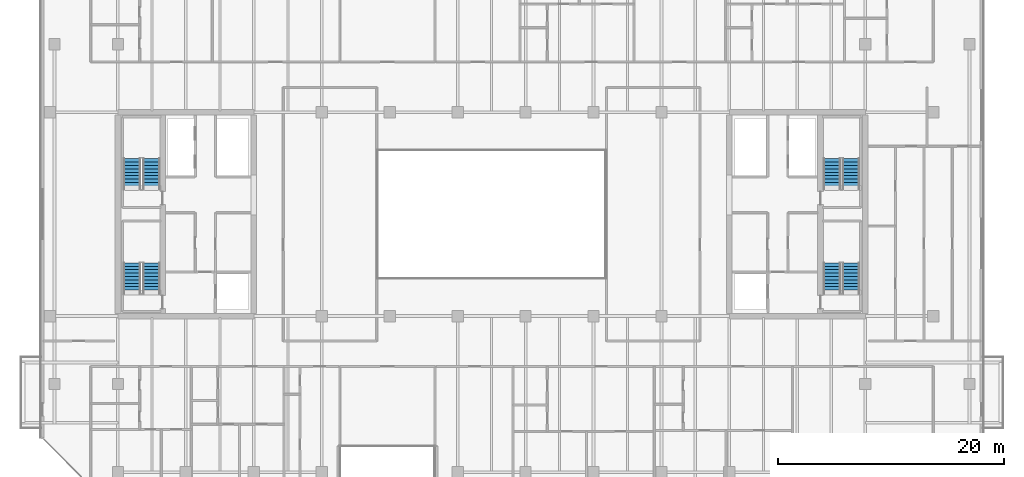
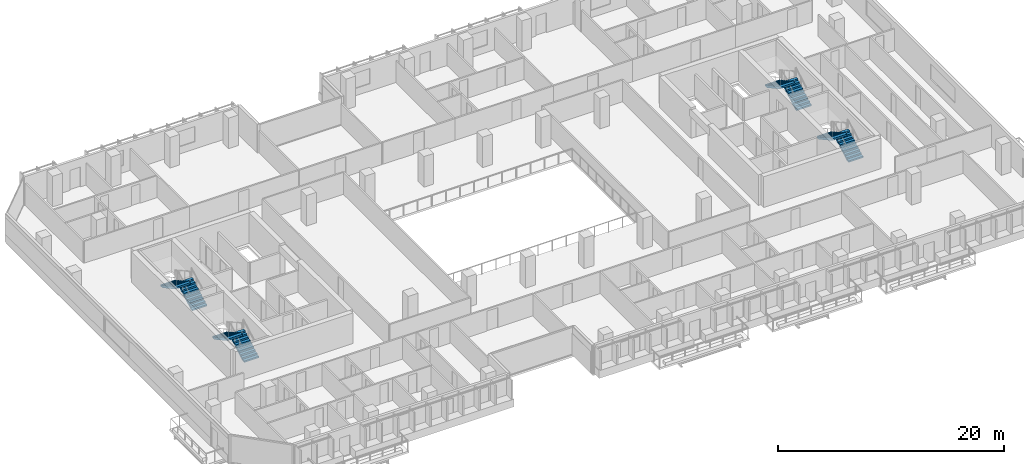
# One storey, part 27 of 33: 8 stair flights, 4 elements without a shape of their own.
"""IFC4 building model written with IfcOpenShell, lengths in metres."""

from ifc_helpers import new_model, si_unit, direction, frame, origin, place, context, subcontext, project, spatial, polyline, outline, extrude, material, type_object, element, aggregate, save


model = new_model("IFC4")

# Units and contexts
model_context = context("Model", 3, precision=1e-05, world=origin(), true_north=direction((0.0, 1.0)))
body_context = subcontext(model_context, "Body", "Model", "MODEL_VIEW")
ifc_project = project(units=[si_unit("LENGTHUNIT", "METRE"), si_unit("AREAUNIT", "SQUARE_METRE"), si_unit("VOLUMEUNIT", "CUBIC_METRE"), si_unit("PLANEANGLEUNIT", "RADIAN"), si_unit("MASSUNIT", "GRAM", prefix="KILO")], contexts=[model_context])

# Site, building, storey
site_placement = place(None, origin())
site = spatial("IfcSite", under=ifc_project, at=site_placement, CompositionType="ELEMENT")
building_placement = place(site_placement, origin())
building = spatial("IfcBuilding", under=site, at=building_placement, Name="Tanjung Sevakor Pilgrim Tower", CompositionType="ELEMENT")
storey_placement = place(building_placement, frame((0.0, 0.0, 95.3701171875)))
storey = spatial("IfcBuildingStorey", under=building, at=storey_placement, Name="L26", CompositionType="ELEMENT", Elevation=95.3701171875)

# Stair, stair flights
ifc_material_1 = material(Name="Concrete C40/50", Category="concrete")
stair_type = type_object("IfcStairType", Name="STAIR-ST-CR150", PredefinedType="HALF_TURN_STAIR", material=ifc_material_1)
stair_1_placement = place(storey_placement, origin())
stair_1 = element("IfcStair", 1, at=stair_1_placement, inside=storey, type_object=stair_type, Name="L26 West Core Exit Stair 1", PredefinedType="HALF_TURN_STAIR")
ifc_material_2 = material(Name="Concrete C40/50", Category="concrete")
stair_flight_type = type_object("IfcStairFlightType", Name="FLIGHT-ST-CR150", PredefinedType="STRAIGHT", material=ifc_material_2)
stair_flight_1_placement = place(storey_placement, frame((26.949951171875, 26.60009765625, 0.0), z_axis=(0.0, 0.0, 1.0), x_axis=(0.0, 1.0, 0.0)))
stair_flight_1 = element("IfcStairFlight", 2, at=stair_flight_1_placement, type_object=stair_flight_type, Name="TS-W1 flight 1", NumberOfRisers=10, NumberOfTreads=9, PredefinedType="STRAIGHT", RiserHeight=0.165, TreadLength=0.3, context=body_context, shape_type="SweptSolid", body=[
    extrude(outline(polyline([(0.0, 0.0), (0.0, 0.1650390625), (0.300048828125, 0.1650390625), (0.300048828125, 0.330078125), (0.60009765625, 0.330078125), (0.60009765625, 0.4951171875), (0.89990234375, 0.4951171875), (0.89990234375, 0.659912109375), (1.199951171875, 0.659912109375), (1.199951171875, 0.824951171875), (1.5, 0.824951171875), (1.5, 0.989990234375), (1.800048828125, 0.989990234375), (1.800048828125, 1.155029296875), (2.10009765625, 1.155029296875), (2.10009765625, 1.320068359375), (2.39990234375, 1.320068359375), (2.39990234375, 1.485107421875), (2.699951171875, 1.485107421875), (2.699951171875, 1.64990234375), (2.699951171875, 1.302490234375), (0.331787109375, 0.0), (0.0, 0.0)])), frame((0.0, 0.75, 0.0), z_axis=(0.0, -1.0, 0.0), x_axis=(1.0, 0.0, 0.0)), (0.0, 0.0, 1.0), 1.5),
])
stair_flight_2_placement = place(storey_placement, frame((25.25, 29.300048828125, 1.64990234375), z_axis=(0.0, 0.0, 1.0), x_axis=(0.0, -1.0, 0.0)))
stair_flight_2 = element("IfcStairFlight", 3, at=stair_flight_2_placement, type_object=stair_flight_type, Name="TS-W1 flight 2", NumberOfRisers=10, NumberOfTreads=9, PredefinedType="STRAIGHT", RiserHeight=0.165, TreadLength=0.3, context=body_context, shape_type="SweptSolid", body=[
    extrude(outline(polyline([(0.0, 0.0), (0.0, 0.1650390625), (0.300048828125, 0.1650390625), (0.300048828125, 0.330078125), (0.60009765625, 0.330078125), (0.60009765625, 0.4951171875), (0.89990234375, 0.4951171875), (0.89990234375, 0.659912109375), (1.199951171875, 0.659912109375), (1.199951171875, 0.824951171875), (1.5, 0.824951171875), (1.5, 0.989990234375), (1.800048828125, 0.989990234375), (1.800048828125, 1.155029296875), (2.10009765625, 1.155029296875), (2.10009765625, 1.320068359375), (2.39990234375, 1.320068359375), (2.39990234375, 1.485107421875), (2.699951171875, 1.485107421875), (2.699951171875, 1.64990234375), (2.699951171875, 1.302490234375), (0.331787109375, 0.0), (0.0, 0.0)])), frame((0.0, 0.75, 0.0), z_axis=(0.0, -1.0, 0.0), x_axis=(1.0, 0.0, 0.0)), (0.0, 0.0, 1.0), 1.5),
])
aggregate(stair_1, [stair_flight_1, stair_flight_2])

stair_2_placement = place(storey_placement, origin())
stair_2 = element("IfcStair", 4, at=stair_2_placement, inside=storey, type_object=stair_type, Name="L26 West Core Exit Stair 2", PredefinedType="HALF_TURN_STAIR")
stair_flight_3_placement = place(storey_placement, frame((26.949951171875, 35.800048828125, 0.0), z_axis=(0.0, 0.0, 1.0), x_axis=(0.0, 1.0, 0.0)))
stair_flight_3 = element("IfcStairFlight", 5, at=stair_flight_3_placement, type_object=stair_flight_type, Name="TS-W2 flight 1", NumberOfRisers=10, NumberOfTreads=9, PredefinedType="STRAIGHT", RiserHeight=0.165, TreadLength=0.3, context=body_context, shape_type="SweptSolid", body=[
    extrude(outline(polyline([(0.0, 0.0), (0.0, 0.1650390625), (0.300048828125, 0.1650390625), (0.300048828125, 0.330078125), (0.60009765625, 0.330078125), (0.60009765625, 0.4951171875), (0.89990234375, 0.4951171875), (0.89990234375, 0.659912109375), (1.199951171875, 0.659912109375), (1.199951171875, 0.824951171875), (1.5, 0.824951171875), (1.5, 0.989990234375), (1.800048828125, 0.989990234375), (1.800048828125, 1.155029296875), (2.10009765625, 1.155029296875), (2.10009765625, 1.320068359375), (2.39990234375, 1.320068359375), (2.39990234375, 1.485107421875), (2.699951171875, 1.485107421875), (2.699951171875, 1.64990234375), (2.699951171875, 1.302490234375), (0.331787109375, 0.0), (0.0, 0.0)])), frame((0.0, 0.75, 0.0), z_axis=(0.0, -1.0, 0.0), x_axis=(1.0, 0.0, 0.0)), (0.0, 0.0, 1.0), 1.5),
])
stair_flight_4_placement = place(storey_placement, frame((25.25, 38.5, 1.64990234375), z_axis=(0.0, 0.0, 1.0), x_axis=(0.0, -1.0, 0.0)))
stair_flight_4 = element("IfcStairFlight", 6, at=stair_flight_4_placement, type_object=stair_flight_type, Name="TS-W2 flight 2", NumberOfRisers=10, NumberOfTreads=9, PredefinedType="STRAIGHT", RiserHeight=0.165, TreadLength=0.3, context=body_context, shape_type="SweptSolid", body=[
    extrude(outline(polyline([(0.0, 0.0), (0.0, 0.1650390625), (0.300048828125, 0.1650390625), (0.300048828125, 0.330078125), (0.60009765625, 0.330078125), (0.60009765625, 0.4951171875), (0.89990234375, 0.4951171875), (0.89990234375, 0.659912109375), (1.199951171875, 0.659912109375), (1.199951171875, 0.824951171875), (1.5, 0.824951171875), (1.5, 0.989990234375), (1.800048828125, 0.989990234375), (1.800048828125, 1.155029296875), (2.10009765625, 1.155029296875), (2.10009765625, 1.320068359375), (2.39990234375, 1.320068359375), (2.39990234375, 1.485107421875), (2.699951171875, 1.485107421875), (2.699951171875, 1.64990234375), (2.699951171875, 1.302490234375), (0.331787109375, 0.0), (0.0, 0.0)])), frame((0.0, 0.75, 0.0), z_axis=(0.0, -1.0, 0.0), x_axis=(1.0, 0.0, 0.0)), (0.0, 0.0, 1.0), 1.5),
])
aggregate(stair_2, [stair_flight_3, stair_flight_4])

stair_3_placement = place(storey_placement, origin())
stair_3 = element("IfcStair", 7, at=stair_3_placement, inside=storey, type_object=stair_type, Name="L26 East Core Exit Stair 1", PredefinedType="HALF_TURN_STAIR")
stair_flight_5_placement = place(storey_placement, frame((88.75, 26.60009765625, 0.0), z_axis=(0.0, 0.0, 1.0), x_axis=(0.0, 1.0, 0.0)))
stair_flight_5 = element("IfcStairFlight", 8, at=stair_flight_5_placement, type_object=stair_flight_type, Name="TS-E1 flight 1", NumberOfRisers=10, NumberOfTreads=9, PredefinedType="STRAIGHT", RiserHeight=0.165, TreadLength=0.3, context=body_context, shape_type="SweptSolid", body=[
    extrude(outline(polyline([(0.0, 0.0), (0.0, 0.1650390625), (0.300048828125, 0.1650390625), (0.300048828125, 0.330078125), (0.60009765625, 0.330078125), (0.60009765625, 0.4951171875), (0.89990234375, 0.4951171875), (0.89990234375, 0.659912109375), (1.199951171875, 0.659912109375), (1.199951171875, 0.824951171875), (1.5, 0.824951171875), (1.5, 0.989990234375), (1.800048828125, 0.989990234375), (1.800048828125, 1.155029296875), (2.10009765625, 1.155029296875), (2.10009765625, 1.320068359375), (2.39990234375, 1.320068359375), (2.39990234375, 1.485107421875), (2.699951171875, 1.485107421875), (2.699951171875, 1.64990234375), (2.699951171875, 1.302490234375), (0.331787109375, 0.0), (0.0, 0.0)])), frame((0.0, 0.75, 0.0), z_axis=(0.0, -1.0, 0.0), x_axis=(1.0, 0.0, 0.0)), (0.0, 0.0, 1.0), 1.5),
])
stair_flight_6_placement = place(storey_placement, frame((87.050048828125, 29.300048828125, 1.64990234375), z_axis=(0.0, 0.0, 1.0), x_axis=(0.0, -1.0, 0.0)))
stair_flight_6 = element("IfcStairFlight", 9, at=stair_flight_6_placement, type_object=stair_flight_type, Name="TS-E1 flight 2", NumberOfRisers=10, NumberOfTreads=9, PredefinedType="STRAIGHT", RiserHeight=0.165, TreadLength=0.3, context=body_context, shape_type="SweptSolid", body=[
    extrude(outline(polyline([(0.0, 0.0), (0.0, 0.1650390625), (0.300048828125, 0.1650390625), (0.300048828125, 0.330078125), (0.60009765625, 0.330078125), (0.60009765625, 0.4951171875), (0.89990234375, 0.4951171875), (0.89990234375, 0.659912109375), (1.199951171875, 0.659912109375), (1.199951171875, 0.824951171875), (1.5, 0.824951171875), (1.5, 0.989990234375), (1.800048828125, 0.989990234375), (1.800048828125, 1.155029296875), (2.10009765625, 1.155029296875), (2.10009765625, 1.320068359375), (2.39990234375, 1.320068359375), (2.39990234375, 1.485107421875), (2.699951171875, 1.485107421875), (2.699951171875, 1.64990234375), (2.699951171875, 1.302490234375), (0.331787109375, 0.0), (0.0, 0.0)])), frame((0.0, 0.75, 0.0), z_axis=(0.0, -1.0, 0.0), x_axis=(1.0, 0.0, 0.0)), (0.0, 0.0, 1.0), 1.5),
])
aggregate(stair_3, [stair_flight_5, stair_flight_6])

stair_4_placement = place(storey_placement, origin())
stair_4 = element("IfcStair", 10, at=stair_4_placement, inside=storey, type_object=stair_type, Name="L26 East Core Exit Stair 2", PredefinedType="HALF_TURN_STAIR")
stair_flight_7_placement = place(storey_placement, frame((88.75, 35.800048828125, 0.0), z_axis=(0.0, 0.0, 1.0), x_axis=(0.0, 1.0, 0.0)))
stair_flight_7 = element("IfcStairFlight", 11, at=stair_flight_7_placement, type_object=stair_flight_type, Name="TS-E2 flight 1", NumberOfRisers=10, NumberOfTreads=9, PredefinedType="STRAIGHT", RiserHeight=0.165, TreadLength=0.3, context=body_context, shape_type="SweptSolid", body=[
    extrude(outline(polyline([(0.0, 0.0), (0.0, 0.1650390625), (0.300048828125, 0.1650390625), (0.300048828125, 0.330078125), (0.60009765625, 0.330078125), (0.60009765625, 0.4951171875), (0.89990234375, 0.4951171875), (0.89990234375, 0.659912109375), (1.199951171875, 0.659912109375), (1.199951171875, 0.824951171875), (1.5, 0.824951171875), (1.5, 0.989990234375), (1.800048828125, 0.989990234375), (1.800048828125, 1.155029296875), (2.10009765625, 1.155029296875), (2.10009765625, 1.320068359375), (2.39990234375, 1.320068359375), (2.39990234375, 1.485107421875), (2.699951171875, 1.485107421875), (2.699951171875, 1.64990234375), (2.699951171875, 1.302490234375), (0.331787109375, 0.0), (0.0, 0.0)])), frame((0.0, 0.75, 0.0), z_axis=(0.0, -1.0, 0.0), x_axis=(1.0, 0.0, 0.0)), (0.0, 0.0, 1.0), 1.5),
])
stair_flight_8_placement = place(storey_placement, frame((87.050048828125, 38.5, 1.64990234375), z_axis=(0.0, 0.0, 1.0), x_axis=(0.0, -1.0, 0.0)))
stair_flight_8 = element("IfcStairFlight", 12, at=stair_flight_8_placement, type_object=stair_flight_type, Name="TS-E2 flight 2", NumberOfRisers=10, NumberOfTreads=9, PredefinedType="STRAIGHT", RiserHeight=0.165, TreadLength=0.3, context=body_context, shape_type="SweptSolid", body=[
    extrude(outline(polyline([(0.0, 0.0), (0.0, 0.1650390625), (0.300048828125, 0.1650390625), (0.300048828125, 0.330078125), (0.60009765625, 0.330078125), (0.60009765625, 0.4951171875), (0.89990234375, 0.4951171875), (0.89990234375, 0.659912109375), (1.199951171875, 0.659912109375), (1.199951171875, 0.824951171875), (1.5, 0.824951171875), (1.5, 0.989990234375), (1.800048828125, 0.989990234375), (1.800048828125, 1.155029296875), (2.10009765625, 1.155029296875), (2.10009765625, 1.320068359375), (2.39990234375, 1.320068359375), (2.39990234375, 1.485107421875), (2.699951171875, 1.485107421875), (2.699951171875, 1.64990234375), (2.699951171875, 1.302490234375), (0.331787109375, 0.0), (0.0, 0.0)])), frame((0.0, 0.75, 0.0), z_axis=(0.0, -1.0, 0.0), x_axis=(1.0, 0.0, 0.0)), (0.0, 0.0, 1.0), 1.5),
])
aggregate(stair_4, [stair_flight_7, stair_flight_8])

save(model, "model.ifc")
